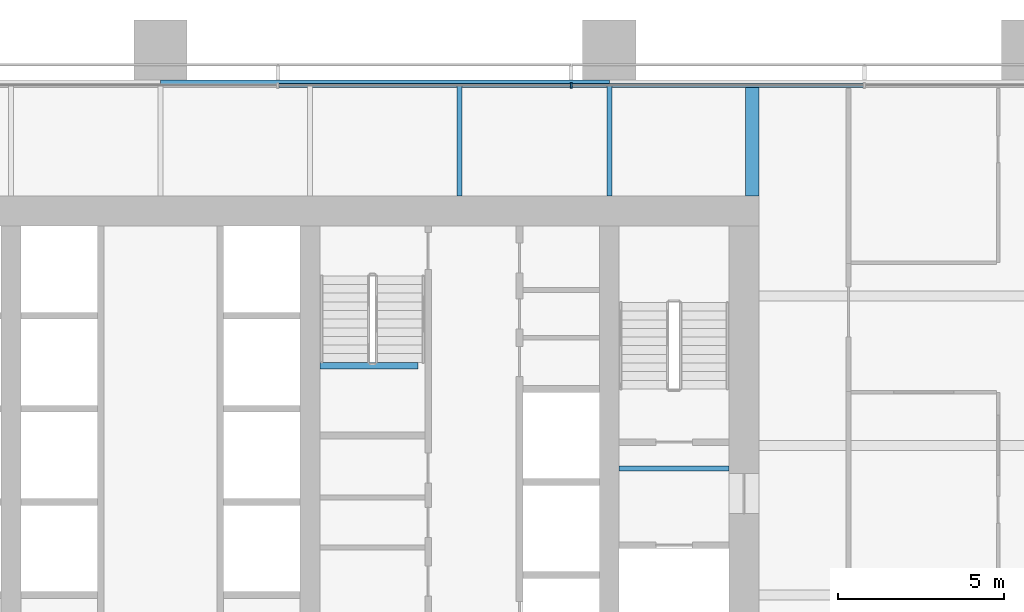
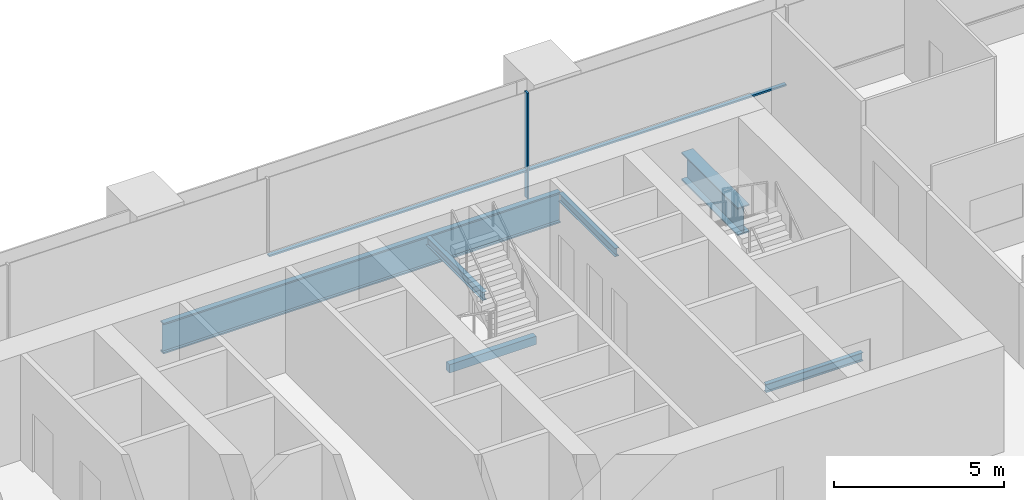
# One storey, part 9 of 19: 6 beams, 3 members, 1 element without a shape of its own.
"""IFC4 building model written with IfcOpenShell, lengths in metres."""

from ifc_helpers import new_model, si_unit, direction, frame, origin, origin_2d, place, context, subcontext, project, spatial, rectangle, i_section, extrude, material, material_profile, profile_set, type_object, element, aggregate, save


model = new_model("IFC4")

# Units and contexts
model_context = context("Model", 3, precision=1e-05, world=origin(), true_north=direction((0.0, 1.0)))
body_context = subcontext(model_context, "Body", "Model", "MODEL_VIEW")
ifc_project = project(units=[si_unit("LENGTHUNIT", "METRE"), si_unit("AREAUNIT", "SQUARE_METRE"), si_unit("VOLUMEUNIT", "CUBIC_METRE"), si_unit("PLANEANGLEUNIT", "RADIAN"), si_unit("MASSUNIT", "GRAM", prefix="KILO")], contexts=[model_context])

# Site, building, storey
site_placement = place(None, origin())
site = spatial("IfcSite", under=ifc_project, at=site_placement, CompositionType="ELEMENT")
building_placement = place(site_placement, origin())
building = spatial("IfcBuilding", under=site, at=building_placement, Name="Rattan Terrace Tower", CompositionType="ELEMENT")
storey_placement = place(building_placement, frame((0.0, 0.0, 99.699951171875)))
storey = spatial("IfcBuildingStorey", under=building, at=storey_placement, Name="L22", CompositionType="ELEMENT", Elevation=99.699951171875)

# Beam
ifc_material_1 = material(Name="Concrete C40/50", Category="concrete")
ifc_material_profile_1 = material_profile(ifc_material_1, rectangle(XDim=0.199951171875, YDim=0.300048828125, at=origin_2d()), Name="RC 200x300")
ifc_profile_set_1 = profile_set([ifc_material_profile_1], Name="Concrete C40/50")
beam_type_1 = type_object("IfcBeamType", Name="Core landing beam RC 200x300", PredefinedType="BEAM", material=ifc_profile_set_1)
beam_1_placement = place(storey_placement, frame((4.800048828125, 2.39990234375, 1.650146484375), z_axis=(1.0, 0.0, 0.0), x_axis=(0.0, 1.0, 0.0)))
element("IfcBeam", 1, at=beam_1_placement, inside=storey, type_object=beam_type_1, Name="st-S3-L22 landing 1 edge beam", PredefinedType="BEAM", context=body_context, shape_type="SweptSolid", body=[
    extrude(rectangle(XDim=0.199951171875, YDim=0.300048828125, at=origin_2d()), origin(), (0.0, 0.0, 1.0), 2.949951171875),
])

# Curtain wall, members
ifc_material_2 = material(Name="Aluminium and glass", Category="aluminium")
curtain_wall_type = type_object("IfcCurtainWallType", Name="Facade Unitised Curtain Wall", PredefinedType="NOTDEFINED", material=ifc_material_2)
curtain_wall_placement = place(storey_placement, origin())
curtain_wall = element("IfcCurtainWall", 2, at=curtain_wall_placement, inside=storey, type_object=curtain_wall_type, Name="Curtain wall L22-2", PredefinedType="NOTDEFINED")
ifc_material_3 = material(Name="Aluminium", Category="aluminium")
ifc_material_profile_2 = material_profile(ifc_material_3, rectangle(XDim=0.06005859375, YDim=0.159912109375, at=origin_2d()), Name="Aluminium 60x160")
ifc_profile_set_2 = profile_set([ifc_material_profile_2], Name="Aluminium")
member_type_1 = type_object("IfcMemberType", Name="Facade CW Mullion 60x160", PredefinedType="MULLION", material=ifc_profile_set_2)
member_1_placement = place(storey_placement, frame((12.35400390625, 10.830078125, 0.0), z_axis=(0.0, 0.0, 1.0), x_axis=(-1.0, 0.0, 0.0)))
member_1 = element("IfcMember", 3, at=member_1_placement, type_object=member_type_1, Name="Mullion cwl-L22-002.3", PredefinedType="MULLION", context=body_context, shape_type="SweptSolid", body=[
    extrude(rectangle(XDim=0.06005859375, YDim=0.159912109375, at=origin_2d()), origin(), (0.0, 0.0, 1.0), 3.800048828125),
])
ifc_material_4 = material(Name="Aluminium", Category="aluminium")
ifc_material_profile_3 = material_profile(ifc_material_4, rectangle(XDim=0.1201171875, YDim=0.06005859375, at=origin_2d()), Name="Aluminium 120x60")
ifc_profile_set_3 = profile_set([ifc_material_profile_3], Name="Aluminium")
member_type_2 = type_object("IfcMemberType", Name="Facade CW Transom 120x60", PredefinedType="USERDEFINED", material=ifc_profile_set_3)
member_2_placement = place(storey_placement, frame((21.14697265625, 10.830078125, 1.0), z_axis=(-1.0, 0.0, 0.0), x_axis=(0.0, -1.0, 0.0)))
member_2 = element("IfcMember", 4, at=member_2_placement, type_object=member_type_2, Name="Transom cwl-L22-002.2", ObjectType="TRANSOM", PredefinedType="USERDEFINED", context=body_context, shape_type="SweptSolid", body=[
    extrude(rectangle(XDim=0.1201171875, YDim=0.06005859375, at=origin_2d()), origin(), (0.0, 0.0, 1.0), 8.762939453125),
])
member_3_placement = place(storey_placement, frame((12.323974609375, 10.830078125, 1.0), z_axis=(-1.0, 0.0, 0.0), x_axis=(0.0, -1.0, 0.0)))
member_3 = element("IfcMember", 5, at=member_3_placement, type_object=member_type_2, Name="Transom cwl-L22-002.3", ObjectType="TRANSOM", PredefinedType="USERDEFINED", context=body_context, shape_type="SweptSolid", body=[
    extrude(rectangle(XDim=0.1201171875, YDim=0.06005859375, at=origin_2d()), origin(), (0.0, 0.0, 1.0), 8.762939453125),
])
aggregate(curtain_wall, [member_1, member_2, member_3])

# Beams
ifc_material_5 = material(Name="Steel S460", Category="steel")
ifc_material_profile_4 = material_profile(ifc_material_5, i_section(OverallWidth=0.39990234375, OverallDepth=1.0, WebThickness=0.01806640625, FlangeThickness=0.044921875, at=origin_2d()), Name="PG 1000x400-18-45")
ifc_profile_set_4 = profile_set([ifc_material_profile_4], Name="Steel S460")
beam_type_2 = type_object("IfcBeamType", Name="Frame core girder PG 1000x400-18-45", PredefinedType="BEAM", material=ifc_profile_set_4)
beam_2_placement = place(storey_placement, frame((17.800048828125, 7.5, -0.699951171875), z_axis=(0.0, 1.0, 0.0), x_axis=(-1.0, 0.0, 0.0)))
element("IfcBeam", 6, at=beam_2_placement, inside=storey, type_object=beam_type_2, Name="gdr-L22-010", PredefinedType="BEAM", context=body_context, shape_type="SweptSolid", body=[
    extrude(i_section(OverallWidth=0.39990234375, OverallDepth=1.0, WebThickness=0.01806640625, FlangeThickness=0.044921875, at=origin_2d()), origin(), (0.0, 0.0, 1.0), 3.320068359375),
])
ifc_material_6 = material(Name="Steel S460", Category="steel")
ifc_material_profile_5 = material_profile(ifc_material_6, i_section(OverallWidth=0.179931640625, OverallDepth=1.10009765625, WebThickness=0.01611328125, FlangeThickness=0.050048828125, at=origin_2d()), Name="PG 1100x180-16-50")
ifc_profile_set_5 = profile_set([ifc_material_profile_5], Name="Steel S460")
beam_type_3 = type_object("IfcBeamType", Name="Frame edge girder PG 1100x180-16-50", PredefinedType="SPANDREL", material=ifc_profile_set_5)
beam_3_placement = place(storey_placement, frame((13.5, 10.909912109375, -0.75), z_axis=(-1.0, 0.0, 0.0), x_axis=(0.0, -1.0, 0.0)))
element("IfcBeam", 7, at=beam_3_placement, inside=storey, type_object=beam_type_3, Name="gdr-L22-007", PredefinedType="SPANDREL", context=body_context, shape_type="SweptSolid", body=[
    extrude(i_section(OverallWidth=0.179931640625, OverallDepth=1.10009765625, WebThickness=0.01611328125, FlangeThickness=0.050048828125, at=origin_2d()), origin(), (0.0, 0.0, 1.0), 13.5),
])
ifc_material_7 = material(Name="Steel S355", Category="steel")
ifc_material_profile_6 = material_profile(ifc_material_7, i_section(OverallWidth=0.14990234375, OverallDepth=0.300048828125, WebThickness=0.007080078125, FlangeThickness=0.0107421875, FilletRadius=0.014892578125, at=origin_2d()), Name="IPE 300")
ifc_profile_set_6 = profile_set([ifc_material_profile_6], Name="Steel S355")
beam_type_4 = type_object("IfcBeamType", Name="Frame floor beam IPE 300", PredefinedType="JOIST", material=ifc_profile_set_6)
beam_4_placement = place(storey_placement, frame((13.800048828125, -0.695068359375, -0.349853515625), z_axis=(1.0, 0.0, 0.0), x_axis=(0.0, 1.0, 0.0)))
element("IfcBeam", 8, at=beam_4_placement, inside=storey, type_object=beam_type_4, Name="bm-L22-002", PredefinedType="JOIST", context=body_context, shape_type="SweptSolid", body=[
    extrude(i_section(OverallWidth=0.14990234375, OverallDepth=0.300048828125, WebThickness=0.007080078125, FlangeThickness=0.0107421875, FilletRadius=0.014892578125, at=origin_2d()), origin(), (0.0, 0.0, 1.0), 3.300048828125),
])
for number, where, z_axis, x_axis, name in (
    (9, (9.0, 7.5, -0.349853515625), (0.0, 1.0, 0.0), (-1.0, 0.0, 0.0), "bm-L22-023"),
    (10, (13.5, 7.5, -0.349853515625), (0.0, 1.0, 0.0), (-1.0, 0.0, 0.0), "bm-L22-024"),
):
    element("IfcBeam", number, at=place(storey_placement, frame(where, z_axis=z_axis, x_axis=x_axis)), inside=storey, type_object=beam_type_4, Name=name, PredefinedType="JOIST", context=body_context, shape_type="SweptSolid", body=[
        extrude(i_section(OverallWidth=0.14990234375, OverallDepth=0.300048828125, WebThickness=0.007080078125, FlangeThickness=0.0107421875, FilletRadius=0.014892578125, at=origin_2d()), origin(), (0.0, 0.0, 1.0), 3.320068359375),
    ])

save(model, "model.ifc")
